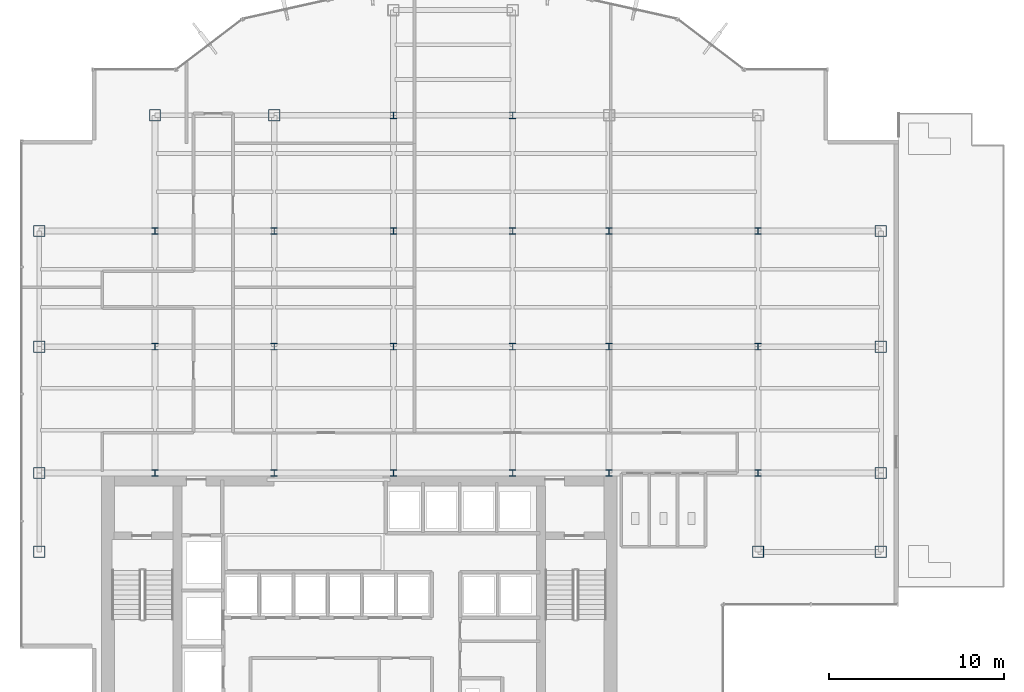
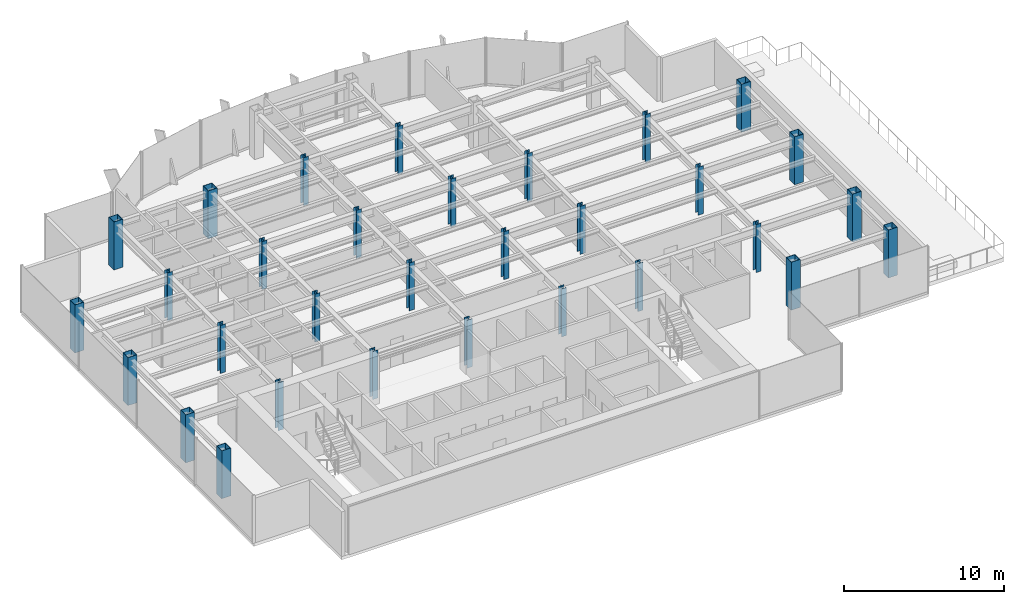
# One storey, part 1 of 23: 31 columns.
"""IFC4 building model written with IfcOpenShell, lengths in metres."""

from ifc_helpers import new_model, si_unit, derived_unit, direction, frame, origin, origin_2d, place, context, subcontext, project, spatial, hollow_rectangle, i_section, extrude, source, transform, mapped, material, material_profile, profile_set, type_object, element, save


model = new_model("IFC4")

# Units and contexts
model_context = context("Model", 3, precision=1e-05, world=origin(), true_north=direction((0.0, 1.0)))
body_context = subcontext(model_context, "Body", "Model", "MODEL_VIEW")
ifc_project = project(units=[si_unit("LENGTHUNIT", "METRE"), si_unit("AREAUNIT", "SQUARE_METRE"), si_unit("VOLUMEUNIT", "CUBIC_METRE"), si_unit("PLANEANGLEUNIT", "RADIAN"), si_unit("MASSUNIT", "GRAM", prefix="KILO"), derived_unit("THERMALTRANSMITTANCEUNIT", [(si_unit("POWERUNIT", "WATT"), 1), (si_unit("LENGTHUNIT", "METRE"), -2), (si_unit("THERMODYNAMICTEMPERATUREUNIT", "KELVIN"), -1)])], contexts=[model_context])

# Site, building, storey
site_placement = place(None, origin())
site = spatial("IfcSite", under=ifc_project, at=site_placement, CompositionType="ELEMENT")
building_placement = place(site_placement, origin())
building = spatial("IfcBuilding", under=site, at=building_placement, Name="Skarnbrae Concourse Arena and Tower", CompositionType="ELEMENT")
storey_placement = place(building_placement, frame((0.0, 0.0, 140.60009765625)))
storey = spatial("IfcBuildingStorey", under=building, at=storey_placement, Name="L35", CompositionType="ELEMENT", Elevation=140.60009765625)

# Columns
ifc_material = material(Name="Steel CSA G40.21 350W", Category="steel")
ifc_material_profile_1 = material_profile(ifc_material, hollow_rectangle(XDim=0.64990234375, YDim=0.64990234375, WallThickness=0.031982421875, at=origin_2d()), Name="BOX650X650X32")
ifc_profile_set_1 = profile_set([ifc_material_profile_1], Name="Steel CSA G40.21 350W")
column_type_1 = type_object("IfcColumnType", Name="COL-TUBE-BOX650", PredefinedType="COLUMN", material=ifc_profile_set_1)
shared_shape_1 = source(origin(), body_context, "Body", "SweptSolid", [
    extrude(hollow_rectangle(XDim=0.64990234375, YDim=0.64990234375, WallThickness=0.031982421875, at=origin_2d()), origin(), (0.0, 0.0, 1.0), 3.64990234375),
])
for number, where, z_axis, x_axis, name in (
    (1, (1.0, 9.5, 0.0), (0.0, 0.0, 1.0), (1.0, 0.0, 0.0), "L35 Tower column PC_01_01"),
    (2, (1.0, 14.0, 0.0), (0.0, 0.0, 1.0), (1.0, 0.0, 0.0), "L35 Tower column PC_01_02"),
    (3, (1.0, 21.199951171875, 0.0), (0.0, 0.0, 1.0), (1.0, 0.0, 0.0), "L35 Tower column PC_01_03"),
    (4, (1.0, 27.800048828125, 0.0), (0.0, 0.0, 1.0), (1.0, 0.0, 0.0), "L35 Tower column PC_01_04"),
    (5, (7.60009765625, 34.39990234375, 0.0), (0.0, 0.0, 1.0), (1.0, 0.0, 0.0), "L35 Tower column PC_02_05"),
    (6, (14.39990234375, 34.39990234375, 0.0), (0.0, 0.0, 1.0), (1.0, 0.0, 0.0), "L35 Tower column PC_03_05"),
    (7, (42.0, 9.5, 0.0), (0.0, 0.0, 1.0), (1.0, 0.0, 0.0), "L35 Tower column PC_07_01"),
    (8, (49.0, 9.5, 0.0), (0.0, 0.0, 1.0), (1.0, 0.0, 0.0), "L35 Tower column PC_08_01"),
    (9, (49.0, 14.0, 0.0), (0.0, 0.0, 1.0), (1.0, 0.0, 0.0), "L35 Tower column PC_08_02"),
    (10, (49.0, 21.199951171875, 0.0), (0.0, 0.0, 1.0), (1.0, 0.0, 0.0), "L35 Tower column PC_08_03"),
    (11, (49.0, 27.800048828125, 0.0), (0.0, 0.0, 1.0), (1.0, 0.0, 0.0), "L35 Tower column PC_08_04"),
):
    element("IfcColumn", number, at=place(storey_placement, frame(where, z_axis=z_axis, x_axis=x_axis)), inside=storey, type_object=column_type_1, Name=name, PredefinedType="COLUMN", context=body_context, shape_type="MappedRepresentation", body=[
        mapped(shared_shape_1, transform((0.0, 0.0, 0.0))),
    ])
ifc_material_profile_2 = material_profile(ifc_material, i_section(OverallWidth=0.3740234375, OverallDepth=0.3720703125, WebThickness=0.016357421875, FlangeThickness=0.026123046875, at=origin_2d()), Name="W360X196")
ifc_profile_set_2 = profile_set([ifc_material_profile_2], Name="Steel CSA G40.21 350W")
column_type_2 = type_object("IfcColumnType", Name="COL-INT-W360X196", PredefinedType="COLUMN", material=ifc_profile_set_2)
shared_shape_2 = source(origin(), body_context, "Body", "SweptSolid", [
    extrude(i_section(OverallWidth=0.3740234375, OverallDepth=0.3720703125, WebThickness=0.016357421875, FlangeThickness=0.026123046875, at=origin_2d()), origin(), (0.0, 0.0, 1.0), 3.64990234375),
])
for number, where, z_axis, x_axis, name in (
    (12, (7.60009765625, 14.0, 0.0), (0.0, 0.0, 1.0), (1.0, 0.0, 0.0), "L35 Tower column IC_02_02"),
    (13, (7.60009765625, 21.199951171875, 0.0), (0.0, 0.0, 1.0), (1.0, 0.0, 0.0), "L35 Tower column IC_02_03"),
    (14, (7.60009765625, 27.800048828125, 0.0), (0.0, 0.0, 1.0), (1.0, 0.0, 0.0), "L35 Tower column IC_02_04"),
    (15, (14.39990234375, 14.0, 0.0), (0.0, 0.0, 1.0), (1.0, 0.0, 0.0), "L35 Tower column IC_03_02"),
    (16, (14.39990234375, 21.199951171875, 0.0), (0.0, 0.0, 1.0), (1.0, 0.0, 0.0), "L35 Tower column IC_03_03"),
    (17, (14.39990234375, 27.800048828125, 0.0), (0.0, 0.0, 1.0), (1.0, 0.0, 0.0), "L35 Tower column IC_03_04"),
    (18, (21.199951171875, 14.0, 0.0), (0.0, 0.0, 1.0), (1.0, 0.0, 0.0), "L35 Tower column IC_04_02"),
    (19, (21.199951171875, 21.199951171875, 0.0), (0.0, 0.0, 1.0), (1.0, 0.0, 0.0), "L35 Tower column IC_04_03"),
    (20, (21.199951171875, 27.800048828125, 0.0), (0.0, 0.0, 1.0), (1.0, 0.0, 0.0), "L35 Tower column IC_04_04"),
    (21, (21.199951171875, 34.39990234375, 0.0), (0.0, 0.0, 1.0), (1.0, 0.0, 0.0), "L35 Tower column IC_04_05"),
    (22, (28.0, 14.0, 0.0), (0.0, 0.0, 1.0), (1.0, 0.0, 0.0), "L35 Tower column IC_05_02"),
    (23, (28.0, 21.199951171875, 0.0), (0.0, 0.0, 1.0), (1.0, 0.0, 0.0), "L35 Tower column IC_05_03"),
    (24, (28.0, 27.800048828125, 0.0), (0.0, 0.0, 1.0), (1.0, 0.0, 0.0), "L35 Tower column IC_05_04"),
    (25, (28.0, 34.39990234375, 0.0), (0.0, 0.0, 1.0), (1.0, 0.0, 0.0), "L35 Tower column IC_05_05"),
    (26, (33.5, 14.0, 0.0), (0.0, 0.0, 1.0), (1.0, 0.0, 0.0), "L35 Tower column IC_06_02"),
    (27, (33.5, 21.199951171875, 0.0), (0.0, 0.0, 1.0), (1.0, 0.0, 0.0), "L35 Tower column IC_06_03"),
    (28, (33.5, 27.800048828125, 0.0), (0.0, 0.0, 1.0), (1.0, 0.0, 0.0), "L35 Tower column IC_06_04"),
    (29, (42.0, 14.0, 0.0), (0.0, 0.0, 1.0), (1.0, 0.0, 0.0), "L35 Tower column IC_07_02"),
    (30, (42.0, 21.199951171875, 0.0), (0.0, 0.0, 1.0), (1.0, 0.0, 0.0), "L35 Tower column IC_07_03"),
    (31, (42.0, 27.800048828125, 0.0), (0.0, 0.0, 1.0), (1.0, 0.0, 0.0), "L35 Tower column IC_07_04"),
):
    element("IfcColumn", number, at=place(storey_placement, frame(where, z_axis=z_axis, x_axis=x_axis)), inside=storey, type_object=column_type_2, Name=name, PredefinedType="COLUMN", context=body_context, shape_type="MappedRepresentation", body=[
        mapped(shared_shape_2, transform((0.0, 0.0, 0.0))),
    ])

save(model, "model.ifc")
